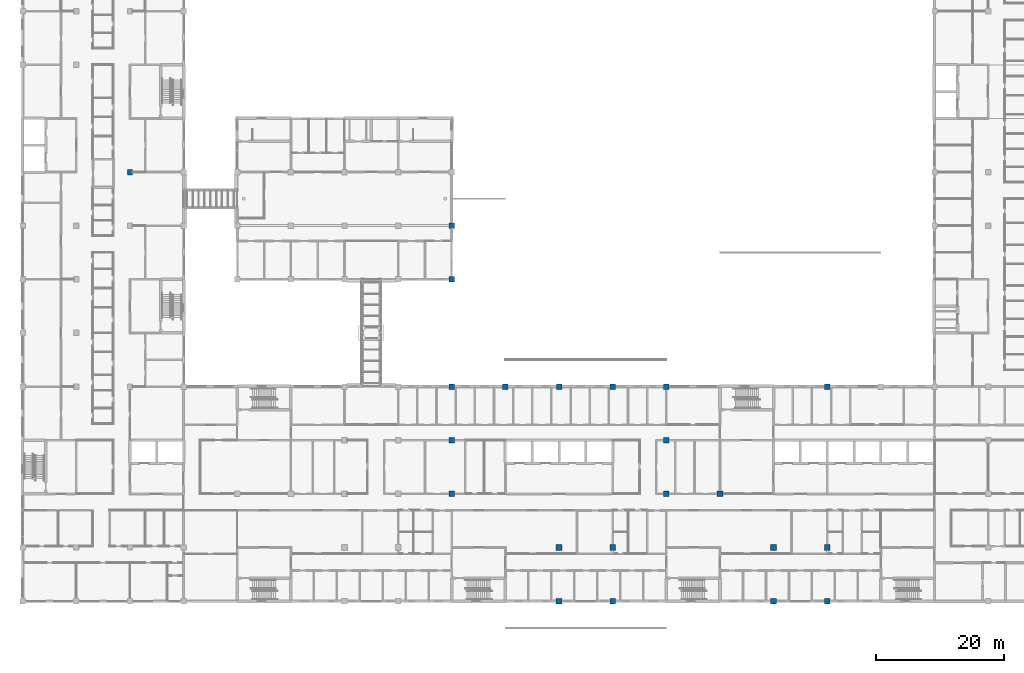
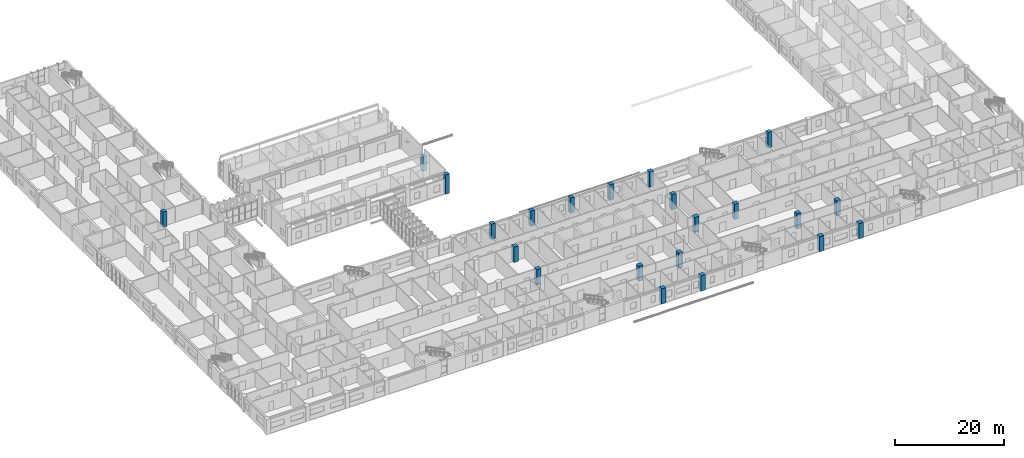
# One storey, part 5 of 94: 22 columns.
"""IFC4 building model written with IfcOpenShell, lengths in metres."""

from ifc_helpers import new_model, si_unit, direction, frame, origin, origin_2d, place, context, subcontext, project, spatial, rectangle, extrude, material, material_profile, profile_set, type_object, element, save


model = new_model("IFC4")

# Units and contexts
model_context = context("Model", 3, precision=1e-05, world=origin(), true_north=direction((0.0, 1.0)))
body_context = subcontext(model_context, "Body", "Model", "MODEL_VIEW")
ifc_project = project(units=[si_unit("LENGTHUNIT", "METRE"), si_unit("AREAUNIT", "SQUARE_METRE"), si_unit("VOLUMEUNIT", "CUBIC_METRE"), si_unit("PLANEANGLEUNIT", "RADIAN"), si_unit("MASSUNIT", "GRAM", prefix="KILO")], contexts=[model_context])

# Site, building, storey
site_placement = place(None, origin())
site = spatial("IfcSite", under=ifc_project, at=site_placement, CompositionType="ELEMENT")
building_placement = place(site_placement, origin())
building = spatial("IfcBuilding", under=site, at=building_placement, Name="Yavir Park General Hospital", CompositionType="ELEMENT")
storey_placement = place(building_placement, frame((0.0, 0.0, 4.5)))
storey = spatial("IfcBuildingStorey", under=building, at=storey_placement, Name="L01", CompositionType="ELEMENT", Elevation=4.5)

# Columns
ifc_material_1 = material(Name="Concrete C40/50", Category="concrete")
ifc_material_profile_1 = material_profile(ifc_material_1, rectangle(XDim=0.85009765625, YDim=0.85009765625, at=origin_2d()), Name="RC850x850")
ifc_profile_set_1 = profile_set([ifc_material_profile_1], Name="Concrete C40/50")
column_type_1 = type_object("IfcColumnType", Name="RC COLUMN 850x850", PredefinedType="COLUMN", material=ifc_profile_set_1)
for number, where, z_axis, x_axis, name in (
    (1, (67.199951171875, 33.60009765625, 0.0), (0.0, 0.0, 1.0), (1.0, 0.0, 0.0), "C:L01:9E"),
    (2, (75.60009765625, 33.60009765625, 0.0), (0.0, 0.0, 1.0), (1.0, 0.0, 0.0), "C:L01:10E"),
    (3, (84.0, 33.60009765625, 0.0), (0.0, 0.0, 1.0), (1.0, 0.0, 0.0), "C:L01:11E"),
    (4, (92.39990234375, 33.60009765625, 0.0), (0.0, 0.0, 1.0), (1.0, 0.0, 0.0), "C:L01:12E"),
    (5, (100.800048828125, 33.60009765625, 0.0), (0.0, 0.0, 1.0), (1.0, 0.0, 0.0), "C:L01:13E"),
    (6, (126.0, 33.60009765625, 0.0), (0.0, 0.0, 1.0), (1.0, 0.0, 0.0), "C:L01:16E"),
):
    element("IfcColumn", number, at=place(storey_placement, frame(where, z_axis=z_axis, x_axis=x_axis)), inside=storey, type_object=column_type_1, Name=name, PredefinedType="COLUMN", context=body_context, shape_type="SweptSolid", body=[
        extrude(rectangle(XDim=0.85009765625, YDim=0.85009765625, at=origin_2d()), origin(), (0.0, 0.0, 1.0), 3.449951171875),
    ])
column_1_placement = place(storey_placement, frame((67.199951171875, 50.39990234375, 0.0), z_axis=(0.0, 0.0, 1.0), x_axis=(1.0, 0.0, 0.0)))
element("IfcColumn", 7, at=column_1_placement, inside=storey, type_object=column_type_1, Name="C:L01:9G", PredefinedType="COLUMN", context=body_context, shape_type="SweptSolid", body=[
    extrude(rectangle(XDim=0.85009765625, YDim=0.85009765625, at=origin_2d()), origin(), (0.0, 0.0, 1.0), 4.35791015625),
])
column_2_placement = place(storey_placement, frame((67.199951171875, 58.800048828125, 0.0), z_axis=(0.0, 0.0, 1.0), x_axis=(1.0, 0.0, 0.0)))
element("IfcColumn", 8, at=column_2_placement, inside=storey, type_object=column_type_1, Name="C:L01:9H", PredefinedType="COLUMN", context=body_context, shape_type="SweptSolid", body=[
    extrude(rectangle(XDim=0.85009765625, YDim=0.85009765625, at=origin_2d()), origin(), (0.0, 0.0, 1.0), 3.300048828125),
])
column_3_placement = place(storey_placement, frame((16.800048828125, 67.199951171875, 0.0), z_axis=(0.0, 0.0, 1.0), x_axis=(1.0, 0.0, 0.0)))
element("IfcColumn", 9, at=column_3_placement, inside=storey, type_object=column_type_1, Name="C:L01:3J", PredefinedType="COLUMN", context=body_context, shape_type="SweptSolid", body=[
    extrude(rectangle(XDim=0.85009765625, YDim=0.85009765625, at=origin_2d()), origin(), (0.0, 0.0, 1.0), 3.449951171875),
])
ifc_material_2 = material(Name="Concrete C40/50", Category="concrete")
ifc_material_profile_2 = material_profile(ifc_material_2, rectangle(XDim=0.89990234375, YDim=0.89990234375, at=origin_2d()), Name="RC900x900")
ifc_profile_set_2 = profile_set([ifc_material_profile_2], Name="Concrete C40/50")
column_type_2 = type_object("IfcColumnType", Name="RC COLUMN 900x900", PredefinedType="COLUMN", material=ifc_profile_set_2)
for number, where, z_axis, x_axis, name in (
    (10, (84.0, 0.0, 0.0), (0.0, 0.0, 1.0), (1.0, 0.0, 0.0), "C:L01:11A"),
    (11, (92.39990234375, 0.0, 0.0), (0.0, 0.0, 1.0), (1.0, 0.0, 0.0), "C:L01:12A"),
    (12, (117.60009765625, 0.0, 0.0), (0.0, 0.0, 1.0), (1.0, 0.0, 0.0), "C:L01:15A"),
    (13, (126.0, 0.0, 0.0), (0.0, 0.0, 1.0), (1.0, 0.0, 0.0), "C:L01:16A"),
    (14, (84.0, 8.39990234375, 0.0), (0.0, 0.0, 1.0), (1.0, 0.0, 0.0), "C:L01:11B"),
    (15, (92.39990234375, 8.39990234375, 0.0), (0.0, 0.0, 1.0), (1.0, 0.0, 0.0), "C:L01:12B"),
    (16, (117.60009765625, 8.39990234375, 0.0), (0.0, 0.0, 1.0), (1.0, 0.0, 0.0), "C:L01:15B"),
    (17, (126.0, 8.39990234375, 0.0), (0.0, 0.0, 1.0), (1.0, 0.0, 0.0), "C:L01:16B"),
    (18, (67.199951171875, 16.800048828125, 0.0), (0.0, 0.0, 1.0), (1.0, 0.0, 0.0), "C:L01:9C"),
    (19, (100.800048828125, 16.800048828125, 0.0), (0.0, 0.0, 1.0), (1.0, 0.0, 0.0), "C:L01:13C"),
    (20, (109.199951171875, 16.800048828125, 0.0), (0.0, 0.0, 1.0), (1.0, 0.0, 0.0), "C:L01:14C"),
    (21, (67.199951171875, 25.199951171875, 0.0), (0.0, 0.0, 1.0), (1.0, 0.0, 0.0), "C:L01:9D"),
    (22, (100.800048828125, 25.199951171875, 0.0), (0.0, 0.0, 1.0), (1.0, 0.0, 0.0), "C:L01:13D"),
):
    element("IfcColumn", number, at=place(storey_placement, frame(where, z_axis=z_axis, x_axis=x_axis)), inside=storey, type_object=column_type_2, Name=name, PredefinedType="COLUMN", context=body_context, shape_type="SweptSolid", body=[
        extrude(rectangle(XDim=0.89990234375, YDim=0.89990234375, at=origin_2d()), origin(), (0.0, 0.0, 1.0), 3.449951171875),
    ])

save(model, "model.ifc")
